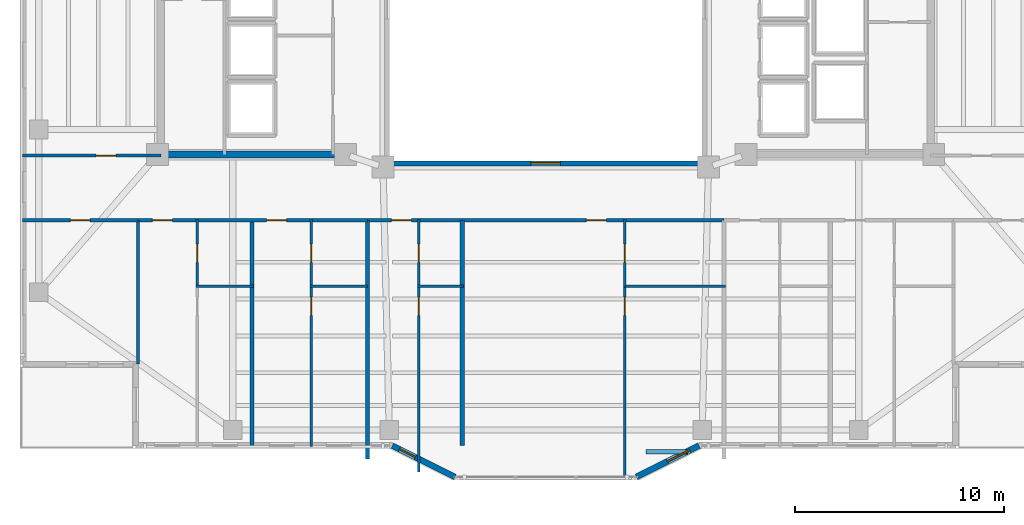
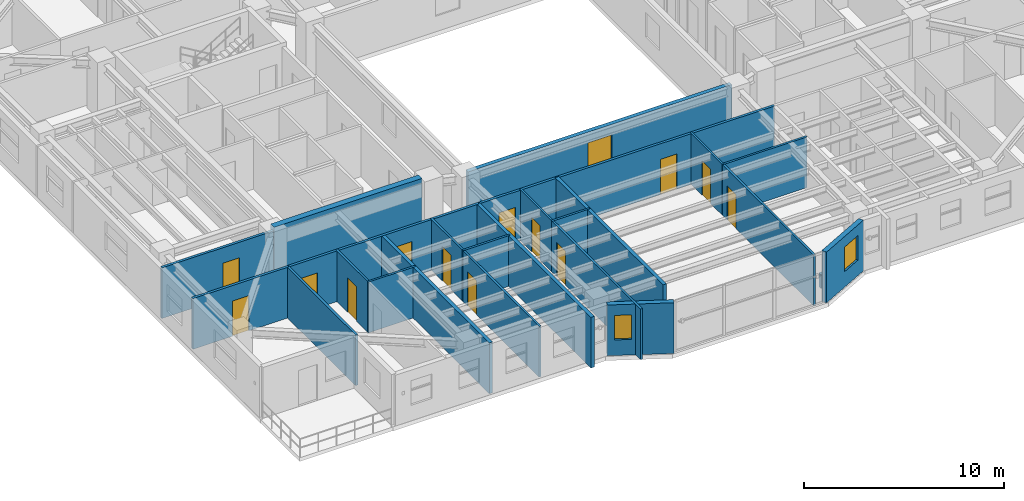
# One storey, part 6 of 17: 24 walls, 13 doors, 3 windows, 16 openings.
"""IFC4 building model written with IfcOpenShell, lengths in metres."""

from ifc_helpers import new_model, si_unit, direction, frame, frame_2d, origin, place, context, subcontext, project, spatial, rectangle, extrude, material, layer, layer_set, type_object, element, fill, save


model = new_model("IFC4")

# Units and contexts
model_context = context("Model", 3, precision=1e-05, world=origin(), true_north=direction((0.0, 1.0)))
body_context = subcontext(model_context, "Body", "Model", "MODEL_VIEW")
ifc_project = project(units=[si_unit("LENGTHUNIT", "METRE"), si_unit("AREAUNIT", "SQUARE_METRE"), si_unit("VOLUMEUNIT", "CUBIC_METRE"), si_unit("PLANEANGLEUNIT", "RADIAN"), si_unit("MASSUNIT", "GRAM", prefix="KILO")], contexts=[model_context])

# Site, building, storey
site_placement = place(None, origin())
site = spatial("IfcSite", under=ifc_project, at=site_placement, CompositionType="ELEMENT")
building_placement = place(site_placement, origin())
building = spatial("IfcBuilding", under=site, at=building_placement, Name="Tarnavaz Court Tower", CompositionType="ELEMENT")
storey_placement = place(building_placement, frame((0.0, 0.0, 132.60009765625)))
storey = spatial("IfcBuildingStorey", under=building, at=storey_placement, Name="L35", CompositionType="ELEMENT", Elevation=132.60009765625)

# Wall
ifc_material_1 = material(Name="Concrete C50/60", Category="concrete")
ifc_layer_1 = layer(ifc_material_1, 0.35009765625)
ifc_layer_set_1 = layer_set([ifc_layer_1], Name="Concrete C50/60")
wall_type_1 = type_object("IfcWallType", Name="WL-CORE-350-C50", PredefinedType="SHEAR", material=ifc_layer_set_1)
wall_1_placement = place(storey_placement, frame((-18.625, -7.199951171875, 0.0), z_axis=(0.0, 0.0, 1.0), x_axis=(1.0, 0.0, 0.0)))
element("IfcWall", 1, at=wall_1_placement, inside=storey, type_object=wall_type_1, Name="L35 West Core South Shear Wall 058", PredefinedType="SHEAR", context=body_context, shape_type="SweptSolid", body=[
    extrude(rectangle(XDim=8.550048828125, YDim=0.35009765625, at=frame_2d((4.27490234375, 0.0))), origin(), (0.0, 0.0, 1.0), 3.349853515625),
])

# Wall, opening, window
ifc_material_2 = material(Name="Precast Concrete C40/50", Category="concrete")
ifc_layer_2 = layer(ifc_material_2, 0.280029296875)
ifc_layer_set_2 = layer_set([ifc_layer_2], Name="Precast Concrete C40/50")
wall_type_2 = type_object("IfcWallType", Name="WL-EXT-280", PredefinedType="SOLIDWALL", material=ifc_layer_set_2)
wall_2_placement = place(storey_placement, frame((7.35009765625, -21.14990234375, 0.0), z_axis=(0.0, 0.0, 1.0), x_axis=(-0.894427191, -0.4472135955, 0.0)))
wall_2 = element("IfcWall", 2, at=wall_2_placement, inside=storey, type_object=wall_type_2, Name="L35 Exterior Terracotta Facade Wall 16", PredefinedType="SOLIDWALL", context=body_context, shape_type="SweptSolid", body=[
    extrude(rectangle(XDim=3.35400390625, YDim=0.280029296875, at=frame_2d((1.677001953125, 0.0))), origin(), (0.0, 0.0, 1.0), 3.099853515625),
])
opening_1_placement = place(wall_2_placement, frame((0.501220703125, 0.0, 0.949951171875)))
opening_1 = element("IfcOpeningElement", 3, at=opening_1_placement, cuts=wall_2, Name="Opening W05", PredefinedType="OPENING", context=body_context, shape_type="SweptSolid", body=[
    extrude(rectangle(XDim=1.199951171875, YDim=1.5, at=frame_2d((0.60009765625, 0.75))), frame((0.0, 0.14990234375, 0.0), z_axis=(0.0, -1.0, 0.0), x_axis=(1.0, 0.0, 0.0)), (0.0, 0.0, 1.0), 0.300048828125),
])
ifc_material_3 = material(Name="Double-Glazed Solar Low-E Glass", Category="glass")
window_type_1 = type_object("IfcWindowType", Name="WN-APT-1200", PartitioningType="SINGLE_PANEL", PredefinedType="WINDOW", material=ifc_material_3)
window_1_placement = place(opening_1_placement, origin())
window_1 = element("IfcWindow", 4, at=window_1_placement, inside=storey, type_object=window_type_1, Name="L35 Flat 10 Kitchen Window", OverallHeight=1.5, OverallWidth=1.199951171875, PartitioningType="SINGLE_PANEL", PredefinedType="WINDOW", context=body_context, shape_type="SweptSolid", body=[
    extrude(rectangle(XDim=1.199951171875, YDim=1.5, at=frame_2d((0.60009765625, 0.75))), frame((0.0, 0.030029296875, 0.0), z_axis=(0.0, -1.0, 0.0), x_axis=(1.0, 0.0, 0.0)), (0.0, 0.0, 1.0), 0.06005859375),
])
fill(opening_1, window_1)

wall_3_placement = place(storey_placement, frame((-4.35009765625, -22.64990234375, 0.0), z_axis=(0.0, 0.0, 1.0), x_axis=(-0.894427191, 0.4472135955, 0.0)))
wall_3 = element("IfcWall", 5, at=wall_3_placement, inside=storey, type_object=wall_type_2, Name="L35 Exterior Terracotta Facade Wall 18", PredefinedType="SOLIDWALL", context=body_context, shape_type="SweptSolid", body=[
    extrude(rectangle(XDim=3.35400390625, YDim=0.280029296875, at=frame_2d((1.677001953125, 0.0))), origin(), (0.0, 0.0, 1.0), 3.099853515625),
])
opening_2_placement = place(wall_3_placement, frame((2.12353515625, 0.0, 0.949951171875)))
opening_2 = element("IfcOpeningElement", 6, at=opening_2_placement, cuts=wall_3, Name="Opening W15", PredefinedType="OPENING", context=body_context, shape_type="SweptSolid", body=[
    extrude(rectangle(XDim=0.85009765625, YDim=1.5, at=frame_2d((0.425048828125, 0.75))), frame((0.0, 0.14990234375, 0.0), z_axis=(0.0, -1.0, 0.0), x_axis=(1.0, 0.0, 0.0)), (0.0, 0.0, 1.0), 0.300048828125),
])
window_type_2 = type_object("IfcWindowType", Name="WN-APT-850", PartitioningType="SINGLE_PANEL", PredefinedType="WINDOW", material=ifc_material_3)
window_2_placement = place(opening_2_placement, origin())
window_2 = element("IfcWindow", 7, at=window_2_placement, inside=storey, type_object=window_type_2, Name="L35 Prow Cheek Bedroom Window 18", OverallHeight=1.5, OverallWidth=0.85009765625, PartitioningType="SINGLE_PANEL", PredefinedType="WINDOW", context=body_context, shape_type="SweptSolid", body=[
    extrude(rectangle(XDim=0.85009765625, YDim=1.5, at=frame_2d((0.425048828125, 0.75))), frame((0.0, 0.030029296875, 0.0), z_axis=(0.0, -1.0, 0.0), x_axis=(1.0, 0.0, 0.0)), (0.0, 0.0, 1.0), 0.06005859375),
])
fill(opening_2, window_2)

# Wall, openings, doors
ifc_material_4 = material(Name="Gypsum Fire-Board on Acoustic Metal Stud", Category="masonry")
ifc_layer_3 = layer(ifc_material_4, 0.14990234375)
ifc_layer_set_3 = layer_set([ifc_layer_3], Name="Gypsum Fire-Board on Acoustic Metal Stud")
wall_type_3 = type_object("IfcWallType", Name="WL-FIRE-150", PredefinedType="PARTITIONING", material=ifc_layer_set_3)
wall_4_placement = place(storey_placement, frame((-19.550048828125, -10.35009765625, 0.0), z_axis=(0.0, 0.0, 1.0), x_axis=(1.0, 0.0, 0.0)))
wall_4 = element("IfcWall", 8, at=wall_4_placement, inside=storey, type_object=wall_type_3, Name="L35 SW Horseshoe Wall 073", PredefinedType="PARTITIONING", context=body_context, shape_type="SweptSolid", body=[
    extrude(rectangle(XDim=11.0, YDim=0.14990234375, at=frame_2d((5.5, 0.0))), origin(), (0.0, 0.0, 1.0), 3.099853515625),
])
opening_3_placement = place(wall_4_placement, frame((0.699951171875, 0.0, 0.0)))
opening_3 = element("IfcOpeningElement", 9, at=opening_3_placement, cuts=wall_4, Name="Opening D06", PredefinedType="OPENING", context=body_context, shape_type="SweptSolid", body=[
    extrude(rectangle(XDim=0.9599609375, YDim=2.14990234375, at=frame_2d((0.47998046875, 1.074951171875))), frame((0.0, 0.0849609375, 0.0), z_axis=(0.0, -1.0, 0.0), x_axis=(1.0, 0.0, 0.0)), (0.0, 0.0, 1.0), 0.169921875),
])
opening_4_placement = place(wall_4_placement, frame((6.175048828125, 0.0, 0.0)))
opening_4 = element("IfcOpeningElement", 10, at=opening_4_placement, cuts=wall_4, Name="Opening D06", PredefinedType="OPENING", context=body_context, shape_type="SweptSolid", body=[
    extrude(rectangle(XDim=0.9599609375, YDim=2.14990234375, at=frame_2d((0.47998046875, 1.074951171875))), frame((0.0, 0.0849609375, 0.0), z_axis=(0.0, -1.0, 0.0), x_axis=(1.0, 0.0, 0.0)), (0.0, 0.0, 1.0), 0.169921875),
])
ifc_material_5 = material(Name="Fire-Rated Hardwood Timber Core", Category="wood")
door_type_1 = type_object("IfcDoorType", Name="DR-FD60-950", OperationType="NOTDEFINED", PredefinedType="DOOR", material=ifc_material_5)
door_1_placement = place(opening_3_placement, origin())
door_1 = element("IfcDoor", 11, at=door_1_placement, inside=storey, type_object=door_type_1, Name="L35 Flat 05 Entrance Door", OperationType="SINGLE_SWING_LEFT", OverallHeight=2.14990234375, OverallWidth=0.9599609375, PredefinedType="DOOR", context=body_context, shape_type="SweptSolid", body=[
    extrude(rectangle(XDim=0.9599609375, YDim=2.14990234375, at=frame_2d((0.47998046875, 1.074951171875))), frame((0.0, 0.02490234375, 0.0), z_axis=(0.0, -1.0, 0.0), x_axis=(1.0, 0.0, 0.0)), (0.0, 0.0, 1.0), 0.050048828125),
])
fill(opening_3, door_1)
door_2_placement = place(opening_4_placement, origin())
door_2 = element("IfcDoor", 12, at=door_2_placement, inside=storey, type_object=door_type_1, Name="L35 Flat 06 Entrance Door", OperationType="SINGLE_SWING_RIGHT", OverallHeight=2.14990234375, OverallWidth=0.9599609375, PredefinedType="DOOR", context=body_context, shape_type="SweptSolid", body=[
    extrude(rectangle(XDim=0.9599609375, YDim=2.14990234375, at=frame_2d((0.47998046875, 1.074951171875))), frame((0.0, 0.02490234375, 0.0), z_axis=(0.0, -1.0, 0.0), x_axis=(1.0, 0.0, 0.0)), (0.0, 0.0, 1.0), 0.050048828125),
])
fill(opening_4, door_2)

wall_5_placement = place(storey_placement, frame((-8.550048828125, -10.35009765625, 0.0), z_axis=(0.0, 0.0, 1.0), x_axis=(1.0, 0.0, 0.0)))
wall_5 = element("IfcWall", 13, at=wall_5_placement, inside=storey, type_object=wall_type_3, Name="L35 Interior Partition 106", PredefinedType="PARTITIONING", context=body_context, shape_type="SweptSolid", body=[
    extrude(rectangle(XDim=17.10009765625, YDim=0.14990234375, at=frame_2d((8.550048828125, 0.0))), origin(), (0.0, 0.0, 1.0), 3.099853515625),
])
opening_5_placement = place(wall_5_placement, frame((1.14990234375, 0.0, 0.0)))
opening_5 = element("IfcOpeningElement", 14, at=opening_5_placement, cuts=wall_5, Name="Opening D06", PredefinedType="OPENING", context=body_context, shape_type="SweptSolid", body=[
    extrude(rectangle(XDim=0.9599609375, YDim=2.14990234375, at=frame_2d((0.47998046875, 1.074951171875))), frame((0.0, 0.0849609375, 0.0), z_axis=(0.0, -1.0, 0.0), x_axis=(1.0, 0.0, 0.0)), (0.0, 0.0, 1.0), 0.169921875),
])
opening_6_placement = place(wall_5_placement, frame((10.5, 0.0, 0.0)))
opening_6 = element("IfcOpeningElement", 15, at=opening_6_placement, cuts=wall_5, Name="Opening D06", PredefinedType="OPENING", context=body_context, shape_type="SweptSolid", body=[
    extrude(rectangle(XDim=0.9599609375, YDim=2.14990234375, at=frame_2d((0.47998046875, 1.074951171875))), frame((0.0, 0.0849609375, 0.0), z_axis=(0.0, -1.0, 0.0), x_axis=(1.0, 0.0, 0.0)), (0.0, 0.0, 1.0), 0.169921875),
])
door_3_placement = place(opening_5_placement, origin())
door_3 = element("IfcDoor", 16, at=door_3_placement, inside=storey, type_object=door_type_1, Name="L35 Flat 09 Entrance Door", OperationType="SINGLE_SWING_LEFT", OverallHeight=2.14990234375, OverallWidth=0.9599609375, PredefinedType="DOOR", context=body_context, shape_type="SweptSolid", body=[
    extrude(rectangle(XDim=0.9599609375, YDim=2.14990234375, at=frame_2d((0.47998046875, 1.074951171875))), frame((0.0, 0.02490234375, 0.0), z_axis=(0.0, -1.0, 0.0), x_axis=(1.0, 0.0, 0.0)), (0.0, 0.0, 1.0), 0.050048828125),
])
fill(opening_5, door_3)
door_4_placement = place(opening_6_placement, origin())
door_4 = element("IfcDoor", 17, at=door_4_placement, inside=storey, type_object=door_type_1, Name="L35 Flat 10 Entrance Door", OperationType="SINGLE_SWING_RIGHT", OverallHeight=2.14990234375, OverallWidth=0.9599609375, PredefinedType="DOOR", context=body_context, shape_type="SweptSolid", body=[
    extrude(rectangle(XDim=0.9599609375, YDim=2.14990234375, at=frame_2d((0.47998046875, 1.074951171875))), frame((0.0, 0.02490234375, 0.0), z_axis=(0.0, -1.0, 0.0), x_axis=(1.0, 0.0, 0.0)), (0.0, 0.0, 1.0), 0.050048828125),
])
fill(opening_6, door_4)

# Wall, opening, door
wall_6_placement = place(storey_placement, frame((-25.080078125, -7.25, 0.0), z_axis=(0.0, 0.0, 1.0), x_axis=(1.0, 0.0, 0.0)))
wall_6 = element("IfcWall", 18, at=wall_6_placement, inside=storey, type_object=wall_type_3, Name="L35 Interior Partition 114", PredefinedType="PARTITIONING", context=body_context, shape_type="SweptSolid", body=[
    extrude(rectangle(XDim=6.630126953125, YDim=0.14990234375, at=frame_2d((3.31494140625, 0.0))), origin(), (0.0, 0.0, 1.0), 3.099853515625),
])
opening_7_placement = place(wall_6_placement, frame((3.530029296875, 0.0, 0.0)))
opening_7 = element("IfcOpeningElement", 19, at=opening_7_placement, cuts=wall_6, Name="Opening D06", PredefinedType="OPENING", context=body_context, shape_type="SweptSolid", body=[
    extrude(rectangle(XDim=0.9599609375, YDim=2.14990234375, at=frame_2d((0.47998046875, 1.074951171875))), frame((0.0, 0.0849609375, 0.0), z_axis=(0.0, -1.0, 0.0), x_axis=(1.0, 0.0, 0.0)), (0.0, 0.0, 1.0), 0.169921875),
])
door_5_placement = place(opening_7_placement, origin())
door_5 = element("IfcDoor", 20, at=door_5_placement, inside=storey, type_object=door_type_1, Name="L35 Flat 11 Entrance Door", OperationType="SINGLE_SWING_LEFT", OverallHeight=2.14990234375, OverallWidth=0.9599609375, PredefinedType="DOOR", context=body_context, shape_type="SweptSolid", body=[
    extrude(rectangle(XDim=0.9599609375, YDim=2.14990234375, at=frame_2d((0.47998046875, 1.074951171875))), frame((0.0, 0.02490234375, 0.0), z_axis=(0.0, -1.0, 0.0), x_axis=(1.0, 0.0, 0.0)), (0.0, 0.0, 1.0), 0.050048828125),
])
fill(opening_7, door_5)

wall_7_placement = place(storey_placement, frame((-25.080078125, -10.35009765625, 0.0), z_axis=(0.0, 0.0, 1.0), x_axis=(1.0, 0.0, 0.0)))
wall_7 = element("IfcWall", 21, at=wall_7_placement, inside=storey, type_object=wall_type_3, Name="L35 Interior Partition 124", PredefinedType="PARTITIONING", context=body_context, shape_type="SweptSolid", body=[
    extrude(rectangle(XDim=5.530029296875, YDim=0.14990234375, at=frame_2d((2.76513671875, 0.0))), origin(), (0.0, 0.0, 1.0), 3.099853515625),
])
opening_8_placement = place(wall_7_placement, frame((2.2900390625, 0.0, 0.0)))
opening_8 = element("IfcOpeningElement", 22, at=opening_8_placement, cuts=wall_7, Name="Opening D13", PredefinedType="OPENING", context=body_context, shape_type="SweptSolid", body=[
    extrude(rectangle(XDim=0.949951171875, YDim=2.14990234375, at=frame_2d((0.47509765625, 1.074951171875))), frame((0.0, 0.0849609375, 0.0), z_axis=(0.0, -1.0, 0.0), x_axis=(1.0, 0.0, 0.0)), (0.0, 0.0, 1.0), 0.169921875),
])
ifc_material_6 = material(Name="Engineered Oak Timber", Category="wood")
door_type_2 = type_object("IfcDoorType", Name="DR-INT-950", OperationType="NOTDEFINED", PredefinedType="DOOR", material=ifc_material_6)
door_6_placement = place(opening_8_placement, origin())
door_6 = element("IfcDoor", 23, at=door_6_placement, inside=storey, type_object=door_type_2, Name="L35 SW Reading Room Door", OperationType="SINGLE_SWING_LEFT", OverallHeight=2.14990234375, OverallWidth=0.949951171875, PredefinedType="DOOR", context=body_context, shape_type="SweptSolid", body=[
    extrude(rectangle(XDim=0.949951171875, YDim=2.14990234375, at=frame_2d((0.47509765625, 1.074951171875))), frame((0.0, 0.02490234375, 0.0), z_axis=(0.0, -1.0, 0.0), x_axis=(1.0, 0.0, 0.0)), (0.0, 0.0, 1.0), 0.050048828125),
])
fill(opening_8, door_6)

# Walls
ifc_material_7 = material(Name="Autoclaved Aerated Concrete Blockwork", Category="masonry")
ifc_layer_4 = layer(ifc_material_7, 0.199951171875)
ifc_layer_set_4 = layer_set([ifc_layer_4], Name="Autoclaved Aerated Concrete Blockwork")
wall_type_4 = type_object("IfcWallType", Name="WL-FIRE-200", PredefinedType="SOLIDWALL", material=ifc_layer_set_4)
wall_8_placement = place(storey_placement, frame((-14.074951171875, -21.199951171875, 0.0), z_axis=(0.0, 0.0, 1.0), x_axis=(0.0, 1.0, 0.0)))
element("IfcWall", 24, at=wall_8_placement, inside=storey, type_object=wall_type_4, Name="L35 Party Wall 090", PredefinedType="SOLIDWALL", context=body_context, shape_type="SweptSolid", body=[
    extrude(rectangle(XDim=10.849853515625, YDim=0.199951171875, at=frame_2d((5.4248046875, 0.0))), origin(), (0.0, 0.0, 1.0), 3.099853515625),
])
wall_9_placement = place(storey_placement, frame((-8.550048828125, -21.803955078125, 0.0), z_axis=(0.0, 0.0, 1.0), x_axis=(0.0, 1.0, 0.0)))
element("IfcWall", 25, at=wall_9_placement, inside=storey, type_object=wall_type_4, Name="L35 Party Wall 104", PredefinedType="SOLIDWALL", context=body_context, shape_type="SweptSolid", body=[
    extrude(rectangle(XDim=11.453857421875, YDim=0.199951171875, at=frame_2d((5.72705078125, 0.0))), origin(), (0.0, 0.0, 1.0), 3.099853515625),
])
wall_10_placement = place(storey_placement, frame((-4.0, -21.14990234375, 0.0), z_axis=(0.0, 0.0, 1.0), x_axis=(0.0, 1.0, 0.0)))
element("IfcWall", 26, at=wall_10_placement, inside=storey, type_object=wall_type_4, Name="L35 Party Wall 107", PredefinedType="SOLIDWALL", context=body_context, shape_type="SweptSolid", body=[
    extrude(rectangle(XDim=10.7998046875, YDim=0.199951171875, at=frame_2d((5.39990234375, 0.0))), origin(), (0.0, 0.0, 1.0), 3.099853515625),
])
ifc_layer_5 = layer(ifc_material_2, 0.219970703125)
ifc_layer_set_5 = layer_set([ifc_layer_5], Name="Precast Concrete C40/50")
wall_type_5 = type_object("IfcWallType", Name="WL-PARAPET-220", PredefinedType="PARAPET", material=ifc_layer_set_5)
wall_11_placement = place(storey_placement, frame((4.800048828125, -21.449951171875, 0.0), z_axis=(0.0, 0.0, 1.0), x_axis=(1.0, 0.0, 0.0)))
element("IfcWall", 27, at=wall_11_placement, inside=storey, type_object=wall_type_5, Name="L35 South Prow Terracotta Parapet Upstand", PredefinedType="PARAPET", context=body_context, shape_type="SweptSolid", body=[
    extrude(rectangle(XDim=2.0, YDim=0.219970703125, at=frame_2d((1.0, 0.0))), origin(), (0.0, 0.0, 1.0), 0.849853515625),
])

# Wall, opening, door
ifc_material_8 = material(Name="Moisture-Resistant Gypsum Board Partition", Category="masonry")
ifc_layer_6 = layer(ifc_material_8, 0.1201171875)
ifc_layer_set_6 = layer_set([ifc_layer_6], Name="Moisture-Resistant Gypsum Board Partition")
wall_type_6 = type_object("IfcWallType", Name="WL-PART-120", PredefinedType="PARTITIONING", material=ifc_layer_set_6)
wall_12_placement = place(storey_placement, frame((-16.705078125, -13.510009765625, 0.0), z_axis=(0.0, 0.0, 1.0), x_axis=(0.0, 1.0, 0.0)))
wall_12 = element("IfcWall", 28, at=wall_12_placement, inside=storey, type_object=wall_type_6, Name="L35 Interior Partition 092", PredefinedType="PARTITIONING", context=body_context, shape_type="SweptSolid", body=[
    extrude(rectangle(XDim=3.219970703125, YDim=0.1201171875, at=frame_2d((1.60986328125, 0.0))), origin(), (0.0, 0.0, 1.0), 3.099853515625),
])
opening_9_placement = place(wall_12_placement, frame((1.139892578125, 0.0, 0.0)))
opening_9 = element("IfcOpeningElement", 29, at=opening_9_placement, cuts=wall_12, Name="Opening D14", PredefinedType="OPENING", context=body_context, shape_type="SweptSolid", body=[
    extrude(rectangle(XDim=0.8798828125, YDim=2.10009765625, at=frame_2d((0.43994140625, 1.050048828125))), frame((0.0, 0.070068359375, 0.0), z_axis=(0.0, -1.0, 0.0), x_axis=(1.0, 0.0, 0.0)), (0.0, 0.0, 1.0), 0.14013671875),
])
door_type_3 = type_object("IfcDoorType", Name="DR-INT-900", OperationType="NOTDEFINED", PredefinedType="DOOR", material=ifc_material_6)
door_7_placement = place(opening_9_placement, origin())
door_7 = element("IfcDoor", 30, at=door_7_placement, inside=storey, type_object=door_type_3, Name="L35 Flat 05 Bathroom Door", OperationType="SINGLE_SWING_LEFT", OverallHeight=2.10009765625, OverallWidth=0.8798828125, PredefinedType="DOOR", context=body_context, shape_type="SweptSolid", body=[
    extrude(rectangle(XDim=0.8798828125, YDim=2.10009765625, at=frame_2d((0.43994140625, 1.050048828125))), frame((0.0, 0.02490234375, 0.0), z_axis=(0.0, -1.0, 0.0), x_axis=(1.0, 0.0, 0.0)), (0.0, 0.0, 1.0), 0.050048828125),
])
fill(opening_9, door_7)

# Wall
wall_13_placement = place(storey_placement, frame((-16.764892578125, -13.510009765625, 0.0), z_axis=(0.0, 0.0, 1.0), x_axis=(1.0, 0.0, 0.0)))
element("IfcWall", 31, at=wall_13_placement, inside=storey, type_object=wall_type_6, Name="L35 Interior Partition 093", PredefinedType="PARTITIONING", context=body_context, shape_type="SweptSolid", body=[
    extrude(rectangle(XDim=2.75, YDim=0.1201171875, at=frame_2d((1.375, 0.0))), origin(), (0.0, 0.0, 1.0), 3.099853515625),
])

# Wall, opening, door
wall_14_placement = place(storey_placement, frame((-11.22998046875, -21.199951171875, 0.0), z_axis=(0.0, 0.0, 1.0), x_axis=(0.0, 1.0, 0.0)))
wall_14 = element("IfcWall", 32, at=wall_14_placement, inside=storey, type_object=wall_type_6, Name="L35 Interior Partition 094", PredefinedType="PARTITIONING", context=body_context, shape_type="SweptSolid", body=[
    extrude(rectangle(XDim=7.68994140625, YDim=0.1201171875, at=frame_2d((3.844970703125, 0.0))), origin(), (0.0, 0.0, 1.0), 3.099853515625),
])
opening_10_placement = place(wall_14_placement, frame((6.2900390625, 0.0, 0.0)))
opening_10 = element("IfcOpeningElement", 33, at=opening_10_placement, cuts=wall_14, Name="Opening D14", PredefinedType="OPENING", context=body_context, shape_type="SweptSolid", body=[
    extrude(rectangle(XDim=0.8798828125, YDim=2.10009765625, at=frame_2d((0.43994140625, 1.050048828125))), frame((0.0, 0.070068359375, 0.0), z_axis=(0.0, -1.0, 0.0), x_axis=(1.0, 0.0, 0.0)), (0.0, 0.0, 1.0), 0.14013671875),
])
door_8_placement = place(opening_10_placement, origin())
door_8 = element("IfcDoor", 34, at=door_8_placement, inside=storey, type_object=door_type_3, Name="L35 Flat 06 Kitchen Door", OperationType="SINGLE_SWING_LEFT", OverallHeight=2.10009765625, OverallWidth=0.8798828125, PredefinedType="DOOR", context=body_context, shape_type="SweptSolid", body=[
    extrude(rectangle(XDim=0.8798828125, YDim=2.10009765625, at=frame_2d((0.43994140625, 1.050048828125))), frame((0.0, 0.02490234375, 0.0), z_axis=(0.0, -1.0, 0.0), x_axis=(1.0, 0.0, 0.0)), (0.0, 0.0, 1.0), 0.050048828125),
])
fill(opening_10, door_8)

wall_15_placement = place(storey_placement, frame((-11.22998046875, -13.510009765625, 0.0), z_axis=(0.0, 0.0, 1.0), x_axis=(0.0, 1.0, 0.0)))
wall_15 = element("IfcWall", 35, at=wall_15_placement, inside=storey, type_object=wall_type_6, Name="L35 Interior Partition 095", PredefinedType="PARTITIONING", context=body_context, shape_type="SweptSolid", body=[
    extrude(rectangle(XDim=3.219970703125, YDim=0.1201171875, at=frame_2d((1.60986328125, 0.0))), origin(), (0.0, 0.0, 1.0), 3.099853515625),
])
opening_11_placement = place(wall_15_placement, frame((1.139892578125, 0.0, 0.0)))
opening_11 = element("IfcOpeningElement", 36, at=opening_11_placement, cuts=wall_15, Name="Opening D14", PredefinedType="OPENING", context=body_context, shape_type="SweptSolid", body=[
    extrude(rectangle(XDim=0.8798828125, YDim=2.10009765625, at=frame_2d((0.43994140625, 1.050048828125))), frame((0.0, 0.070068359375, 0.0), z_axis=(0.0, -1.0, 0.0), x_axis=(1.0, 0.0, 0.0)), (0.0, 0.0, 1.0), 0.14013671875),
])
door_9_placement = place(opening_11_placement, origin())
door_9 = element("IfcDoor", 37, at=door_9_placement, inside=storey, type_object=door_type_3, Name="L35 Flat 06 Bathroom Door", OperationType="SINGLE_SWING_RIGHT", OverallHeight=2.10009765625, OverallWidth=0.8798828125, PredefinedType="DOOR", context=body_context, shape_type="SweptSolid", body=[
    extrude(rectangle(XDim=0.8798828125, YDim=2.10009765625, at=frame_2d((0.43994140625, 1.050048828125))), frame((0.0, 0.02490234375, 0.0), z_axis=(0.0, -1.0, 0.0), x_axis=(1.0, 0.0, 0.0)), (0.0, 0.0, 1.0), 0.050048828125),
])
fill(opening_11, door_9)

# Wall
wall_16_placement = place(storey_placement, frame((-11.2900390625, -13.510009765625, 0.0), z_axis=(0.0, 0.0, 1.0), x_axis=(1.0, 0.0, 0.0)))
element("IfcWall", 38, at=wall_16_placement, inside=storey, type_object=wall_type_6, Name="L35 Interior Partition 096", PredefinedType="PARTITIONING", context=body_context, shape_type="SweptSolid", body=[
    extrude(rectangle(XDim=2.75, YDim=0.1201171875, at=frame_2d((1.375, 0.0))), origin(), (0.0, 0.0, 1.0), 3.099853515625),
])

# Wall, opening, door
wall_17_placement = place(storey_placement, frame((-6.080078125, -22.4140625, 0.0), z_axis=(0.0, 0.0, 1.0), x_axis=(0.0, 1.0, 0.0)))
wall_17 = element("IfcWall", 39, at=wall_17_placement, inside=storey, type_object=wall_type_6, Name="L35 Interior Partition 108", PredefinedType="PARTITIONING", context=body_context, shape_type="SweptSolid", body=[
    extrude(rectangle(XDim=8.904052734375, YDim=0.1201171875, at=frame_2d((4.4521484375, 0.0))), origin(), (0.0, 0.0, 1.0), 3.099853515625),
])
opening_12_placement = place(wall_17_placement, frame((7.50390625, 0.0, 0.0)))
opening_12 = element("IfcOpeningElement", 40, at=opening_12_placement, cuts=wall_17, Name="Opening D14", PredefinedType="OPENING", context=body_context, shape_type="SweptSolid", body=[
    extrude(rectangle(XDim=0.8798828125, YDim=2.10009765625, at=frame_2d((0.43994140625, 1.050048828125))), frame((0.0, 0.070068359375, 0.0), z_axis=(0.0, -1.0, 0.0), x_axis=(1.0, 0.0, 0.0)), (0.0, 0.0, 1.0), 0.14013671875),
])
door_10_placement = place(opening_12_placement, origin())
door_10 = element("IfcDoor", 41, at=door_10_placement, inside=storey, type_object=door_type_3, Name="L35 Flat 09 Kitchen Door", OperationType="SINGLE_SWING_RIGHT", OverallHeight=2.10009765625, OverallWidth=0.8798828125, PredefinedType="DOOR", context=body_context, shape_type="SweptSolid", body=[
    extrude(rectangle(XDim=0.8798828125, YDim=2.10009765625, at=frame_2d((0.43994140625, 1.050048828125))), frame((0.0, 0.02490234375, 0.0), z_axis=(0.0, -1.0, 0.0), x_axis=(1.0, 0.0, 0.0)), (0.0, 0.0, 1.0), 0.050048828125),
])
fill(opening_12, door_10)

wall_18_placement = place(storey_placement, frame((-6.080078125, -13.510009765625, 0.0), z_axis=(0.0, 0.0, 1.0), x_axis=(0.0, 1.0, 0.0)))
wall_18 = element("IfcWall", 42, at=wall_18_placement, inside=storey, type_object=wall_type_6, Name="L35 Interior Partition 109", PredefinedType="PARTITIONING", context=body_context, shape_type="SweptSolid", body=[
    extrude(rectangle(XDim=3.219970703125, YDim=0.1201171875, at=frame_2d((1.60986328125, 0.0))), origin(), (0.0, 0.0, 1.0), 3.099853515625),
])
opening_13_placement = place(wall_18_placement, frame((1.139892578125, 0.0, 0.0)))
opening_13 = element("IfcOpeningElement", 43, at=opening_13_placement, cuts=wall_18, Name="Opening D14", PredefinedType="OPENING", context=body_context, shape_type="SweptSolid", body=[
    extrude(rectangle(XDim=0.8798828125, YDim=2.10009765625, at=frame_2d((0.43994140625, 1.050048828125))), frame((0.0, 0.070068359375, 0.0), z_axis=(0.0, -1.0, 0.0), x_axis=(1.0, 0.0, 0.0)), (0.0, 0.0, 1.0), 0.14013671875),
])
door_11_placement = place(opening_13_placement, origin())
door_11 = element("IfcDoor", 44, at=door_11_placement, inside=storey, type_object=door_type_3, Name="L35 Flat 09 Bathroom Door", OperationType="SINGLE_SWING_LEFT", OverallHeight=2.10009765625, OverallWidth=0.8798828125, PredefinedType="DOOR", context=body_context, shape_type="SweptSolid", body=[
    extrude(rectangle(XDim=0.8798828125, YDim=2.10009765625, at=frame_2d((0.43994140625, 1.050048828125))), frame((0.0, 0.02490234375, 0.0), z_axis=(0.0, -1.0, 0.0), x_axis=(1.0, 0.0, 0.0)), (0.0, 0.0, 1.0), 0.050048828125),
])
fill(opening_13, door_11)

# Wall
wall_19_placement = place(storey_placement, frame((-6.139892578125, -13.510009765625, 0.0), z_axis=(0.0, 0.0, 1.0), x_axis=(1.0, 0.0, 0.0)))
element("IfcWall", 45, at=wall_19_placement, inside=storey, type_object=wall_type_6, Name="L35 Interior Partition 110", PredefinedType="PARTITIONING", context=body_context, shape_type="SweptSolid", body=[
    extrude(rectangle(XDim=2.199951171875, YDim=0.1201171875, at=frame_2d((1.10009765625, 0.0))), origin(), (0.0, 0.0, 1.0), 3.099853515625),
])

# Wall, opening, door
wall_20_placement = place(storey_placement, frame((3.780029296875, -22.679931640625, 0.0), z_axis=(0.0, 0.0, 1.0), x_axis=(0.0, 1.0, 0.0)))
wall_20 = element("IfcWall", 46, at=wall_20_placement, inside=storey, type_object=wall_type_6, Name="L35 Interior Partition 111", PredefinedType="PARTITIONING", context=body_context, shape_type="SweptSolid", body=[
    extrude(rectangle(XDim=9.169921875, YDim=0.1201171875, at=frame_2d((4.5849609375, 0.0))), origin(), (0.0, 0.0, 1.0), 3.099853515625),
])
opening_14_placement = place(wall_20_placement, frame((7.77001953125, 0.0, 0.0)))
opening_14 = element("IfcOpeningElement", 47, at=opening_14_placement, cuts=wall_20, Name="Opening D14", PredefinedType="OPENING", context=body_context, shape_type="SweptSolid", body=[
    extrude(rectangle(XDim=0.8798828125, YDim=2.10009765625, at=frame_2d((0.43994140625, 1.050048828125))), frame((0.0, 0.070068359375, 0.0), z_axis=(0.0, -1.0, 0.0), x_axis=(1.0, 0.0, 0.0)), (0.0, 0.0, 1.0), 0.14013671875),
])
door_12_placement = place(opening_14_placement, origin())
door_12 = element("IfcDoor", 48, at=door_12_placement, inside=storey, type_object=door_type_3, Name="L35 Flat 10 Kitchen Door", OperationType="SINGLE_SWING_LEFT", OverallHeight=2.10009765625, OverallWidth=0.8798828125, PredefinedType="DOOR", context=body_context, shape_type="SweptSolid", body=[
    extrude(rectangle(XDim=0.8798828125, YDim=2.10009765625, at=frame_2d((0.43994140625, 1.050048828125))), frame((0.0, 0.02490234375, 0.0), z_axis=(0.0, -1.0, 0.0), x_axis=(1.0, 0.0, 0.0)), (0.0, 0.0, 1.0), 0.050048828125),
])
fill(opening_14, door_12)

wall_21_placement = place(storey_placement, frame((3.780029296875, -13.510009765625, 0.0), z_axis=(0.0, 0.0, 1.0), x_axis=(0.0, 1.0, 0.0)))
wall_21 = element("IfcWall", 49, at=wall_21_placement, inside=storey, type_object=wall_type_6, Name="L35 Interior Partition 112", PredefinedType="PARTITIONING", context=body_context, shape_type="SweptSolid", body=[
    extrude(rectangle(XDim=3.219970703125, YDim=0.1201171875, at=frame_2d((1.60986328125, 0.0))), origin(), (0.0, 0.0, 1.0), 3.099853515625),
])
opening_15_placement = place(wall_21_placement, frame((1.139892578125, 0.0, 0.0)))
opening_15 = element("IfcOpeningElement", 50, at=opening_15_placement, cuts=wall_21, Name="Opening D14", PredefinedType="OPENING", context=body_context, shape_type="SweptSolid", body=[
    extrude(rectangle(XDim=0.8798828125, YDim=2.10009765625, at=frame_2d((0.43994140625, 1.050048828125))), frame((0.0, 0.070068359375, 0.0), z_axis=(0.0, -1.0, 0.0), x_axis=(1.0, 0.0, 0.0)), (0.0, 0.0, 1.0), 0.14013671875),
])
door_13_placement = place(opening_15_placement, origin())
door_13 = element("IfcDoor", 51, at=door_13_placement, inside=storey, type_object=door_type_3, Name="L35 Flat 10 Bathroom Door", OperationType="SINGLE_SWING_RIGHT", OverallHeight=2.10009765625, OverallWidth=0.8798828125, PredefinedType="DOOR", context=body_context, shape_type="SweptSolid", body=[
    extrude(rectangle(XDim=0.8798828125, YDim=2.10009765625, at=frame_2d((0.43994140625, 1.050048828125))), frame((0.0, 0.02490234375, 0.0), z_axis=(0.0, -1.0, 0.0), x_axis=(1.0, 0.0, 0.0)), (0.0, 0.0, 1.0), 0.050048828125),
])
fill(opening_15, door_13)

# Walls
wall_22_placement = place(storey_placement, frame((3.719970703125, -13.510009765625, 0.0), z_axis=(0.0, 0.0, 1.0), x_axis=(1.0, 0.0, 0.0)))
element("IfcWall", 52, at=wall_22_placement, inside=storey, type_object=wall_type_6, Name="L35 Interior Partition 113", PredefinedType="PARTITIONING", context=body_context, shape_type="SweptSolid", body=[
    extrude(rectangle(XDim=4.89013671875, YDim=0.1201171875, at=frame_2d((2.445068359375, 0.0))), origin(), (0.0, 0.0, 1.0), 3.099853515625),
])
ifc_material_9 = material(Name="Gypsum Plasterboard Acoustic Partition", Category="masonry")
ifc_layer_7 = layer(ifc_material_9, 0.139892578125)
ifc_layer_set_7 = layer_set([ifc_layer_7], Name="Gypsum Plasterboard Acoustic Partition")
wall_type_7 = type_object("IfcWallType", Name="WL-PART-150", PredefinedType="PARTITIONING", material=ifc_layer_set_7)
wall_23_placement = place(storey_placement, frame((-19.550048828125, -17.25, 0.0), z_axis=(0.0, 0.0, 1.0), x_axis=(0.0, 1.0, 0.0)))
element("IfcWall", 53, at=wall_23_placement, inside=storey, type_object=wall_type_7, Name="L35 Interior Partition 118", PredefinedType="PARTITIONING", context=body_context, shape_type="SweptSolid", body=[
    extrude(rectangle(XDim=6.89990234375, YDim=0.139892578125, at=frame_2d((3.449951171875, 0.0))), origin(), (0.0, 0.0, 1.0), 3.099853515625),
])

# Wall, opening, window
ifc_layer_8 = layer(ifc_material_2, 0.239990234375)
ifc_layer_set_8 = layer_set([ifc_layer_8], Name="Precast Concrete C40/50")
wall_type_8 = type_object("IfcWallType", Name="WL-WELL-240", PredefinedType="SOLIDWALL", material=ifc_layer_set_8)
wall_24_placement = place(storey_placement, frame((-7.6201171875, -7.6201171875, 0.0), z_axis=(0.0, 0.0, 1.0), x_axis=(1.0, 0.0, 0.0)))
wall_24 = element("IfcWall", 54, at=wall_24_placement, inside=storey, type_object=wall_type_8, Name="L35 Badgir Light-Well Exterior Wall S", PredefinedType="SOLIDWALL", context=body_context, shape_type="SweptSolid", body=[
    extrude(rectangle(XDim=15.240234375, YDim=0.239990234375, at=frame_2d((7.6201171875, 0.0))), origin(), (0.0, 0.0, 1.0), 3.099853515625),
])
opening_16_placement = place(wall_24_placement, frame((6.919921875, 0.0, 0.949951171875)))
opening_16 = element("IfcOpeningElement", 55, at=opening_16_placement, cuts=wall_24, Name="Opening W13", PredefinedType="OPENING", context=body_context, shape_type="SweptSolid", body=[
    extrude(rectangle(XDim=1.39990234375, YDim=1.5, at=frame_2d((0.699951171875, 0.75))), frame((0.0, 0.1298828125, 0.0), z_axis=(0.0, -1.0, 0.0), x_axis=(1.0, 0.0, 0.0)), (0.0, 0.0, 1.0), 0.260009765625),
])
window_type_3 = type_object("IfcWindowType", Name="WN-WEL-1400", PartitioningType="SINGLE_PANEL", PredefinedType="WINDOW", material=ifc_material_3)
window_3_placement = place(opening_16_placement, origin())
window_3 = element("IfcWindow", 56, at=window_3_placement, inside=storey, type_object=window_type_3, Name="L35 Courtyard Gallery Window S", OverallHeight=1.5, OverallWidth=1.39990234375, PartitioningType="SINGLE_PANEL", PredefinedType="WINDOW", context=body_context, shape_type="SweptSolid", body=[
    extrude(rectangle(XDim=1.39990234375, YDim=1.5, at=frame_2d((0.699951171875, 0.75))), frame((0.0, 0.030029296875, 0.0), z_axis=(0.0, -1.0, 0.0), x_axis=(1.0, 0.0, 0.0)), (0.0, 0.0, 1.0), 0.06005859375),
])
fill(opening_16, window_3)

save(model, "model.ifc")
